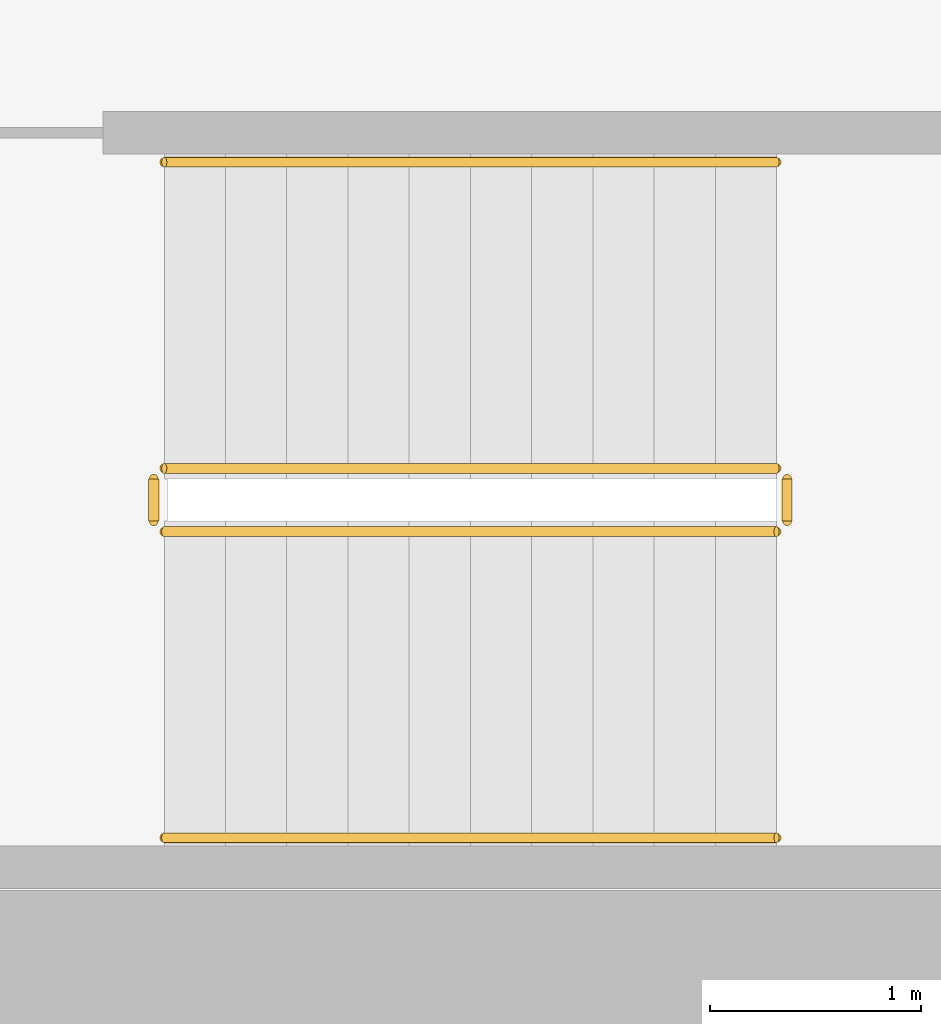
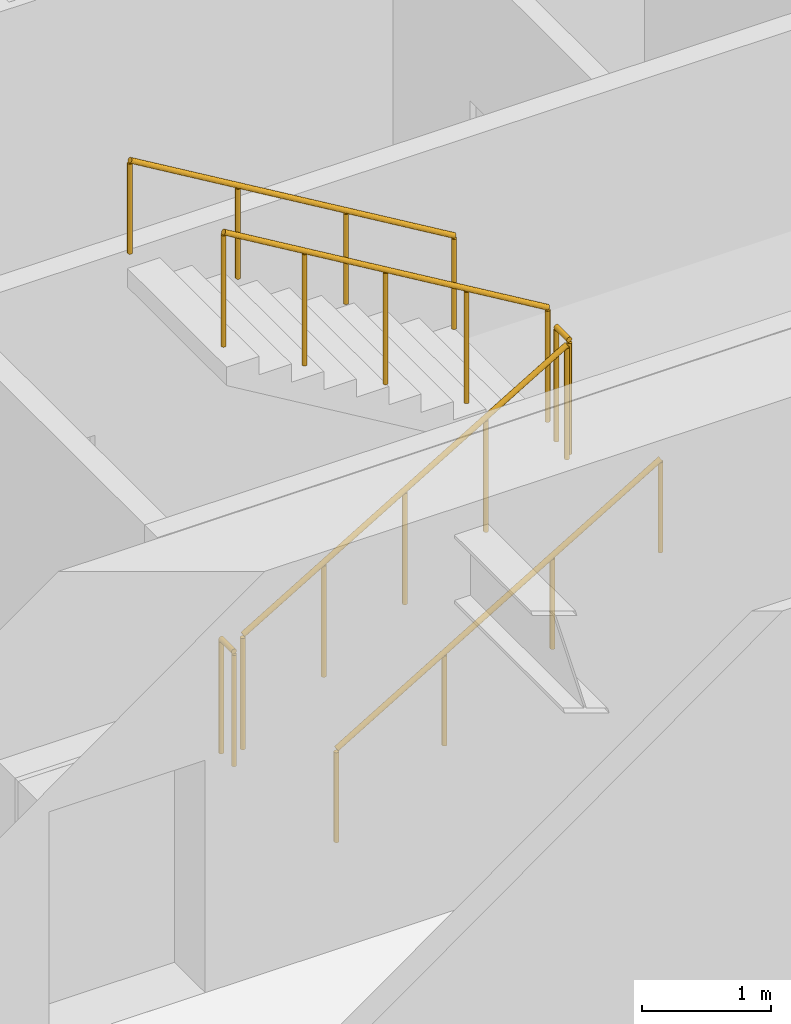
# One storey, part 19 of 20: 6 railings.
"""IFC4 building model written with IfcOpenShell, lengths in metres."""

from ifc_helpers import new_model, si_unit, direction, frame, origin, origin_2d, place, context, subcontext, project, spatial, circle, extrude, material, type_object, element, save


model = new_model("IFC4")

# Units and contexts
model_context = context("Model", 3, precision=1e-05, world=origin(), true_north=direction((0.0, 1.0)))
body_context = subcontext(model_context, "Body", "Model", "MODEL_VIEW")
ifc_project = project(units=[si_unit("LENGTHUNIT", "METRE"), si_unit("AREAUNIT", "SQUARE_METRE"), si_unit("VOLUMEUNIT", "CUBIC_METRE"), si_unit("PLANEANGLEUNIT", "RADIAN"), si_unit("MASSUNIT", "GRAM", prefix="KILO")], contexts=[model_context])

# Site, building, storey
site_placement = place(None, origin())
site = spatial("IfcSite", under=ifc_project, at=site_placement, CompositionType="ELEMENT")
building_placement = place(site_placement, origin())
building = spatial("IfcBuilding", under=site, at=building_placement, Name="Putna Gate Headquarters", CompositionType="ELEMENT")
storey_placement = place(building_placement, frame((0.0, 0.0, 31.60009765625)))
storey = spatial("IfcBuildingStorey", under=building, at=storey_placement, Name="L06", CompositionType="ELEMENT", Elevation=31.60009765625)

# Railings
ifc_material_1 = material(Name="Powder-coated steel stair guardrail", Category="steel")
railing_type_1 = type_object("IfcRailingType", Name="RAIL-STAIR-GUARD-1100", PredefinedType="GUARDRAIL", material=ifc_material_1)
railing_1_placement = place(storey_placement, frame((57.89990234375, 21.10009765625, 0.172607421875)))
element("IfcRailing", 1, at=railing_1_placement, inside=storey, type_object=railing_type_1, Name="L06 ST2 stair guard 1", PredefinedType="GUARDRAIL", context=body_context, shape_type="SweptSolid", body=[
    extrude(circle(Radius=0.02392578125, at=origin_2d()), frame((0.0, 0.0, 1.076171875), z_axis=(0.859160404282, 0.0, 0.51170636083), x_axis=(0.0, 1.0, 0.0)), (0.0, 0.0, 1.0), 3.37548828125),
    extrude(circle(Radius=0.02099609375, at=origin_2d()), origin(), (0.0, 0.0, 1.0), 1.052001953125),
    extrude(circle(Radius=0.02099609375, at=origin_2d()), frame((0.72509765625, 0.0, 0.431884765625)), (0.0, 0.0, 1.0), 1.052001953125),
    extrude(circle(Radius=0.02099609375, at=origin_2d()), frame((1.4501953125, 0.0, 0.86376953125)), (0.0, 0.0, 1.0), 1.052001953125),
    extrude(circle(Radius=0.02099609375, at=origin_2d()), frame((2.175048828125, 0.0, 1.29541015625)), (0.0, 0.0, 1.0), 1.052001953125),
    extrude(circle(Radius=0.02099609375, at=origin_2d()), frame((2.900146484375, 0.0, 1.727294921875)), (0.0, 0.0, 1.0), 1.052001953125),
])
railing_2_placement = place(storey_placement, frame((60.85009765625, 21.14990234375, 1.89990234375)))
element("IfcRailing", 2, at=railing_2_placement, inside=storey, type_object=railing_type_1, Name="L06 ST2 stair guard 2", PredefinedType="GUARDRAIL", context=body_context, shape_type="SweptSolid", body=[
    extrude(circle(Radius=0.02392578125, at=origin_2d()), frame((0.0, 0.0, 1.076171875), z_axis=(0.0, 1.0, 0.0), x_axis=(-1.0, 0.0, 0.0)), (0.0, 0.0, 1.0), 0.2001953125),
    extrude(circle(Radius=0.02099609375, at=origin_2d()), origin(), (0.0, 0.0, 1.0), 1.052001953125),
    extrude(circle(Radius=0.02099609375, at=origin_2d()), frame((0.0, 0.2001953125, 0.0)), (0.0, 0.0, 1.0), 1.052001953125),
])
railing_3_placement = place(storey_placement, frame((60.800048828125, 21.39990234375, 2.072509765625)))
element("IfcRailing", 3, at=railing_3_placement, inside=storey, type_object=railing_type_1, Name="L06 ST2 stair guard 3", PredefinedType="GUARDRAIL", context=body_context, shape_type="SweptSolid", body=[
    extrude(circle(Radius=0.02392578125, at=origin_2d()), frame((0.0, 0.0, 1.076171875), z_axis=(-0.859160404282, 0.0, 0.51170636083), x_axis=(0.0, -1.0, 0.0)), (0.0, 0.0, 1.0), 3.37548828125),
    extrude(circle(Radius=0.02099609375, at=origin_2d()), origin(), (0.0, 0.0, 1.0), 1.052001953125),
    extrude(circle(Radius=0.02099609375, at=origin_2d()), frame((-0.72509765625, 0.0, 0.431884765625)), (0.0, 0.0, 1.0), 1.052001953125),
    extrude(circle(Radius=0.02099609375, at=origin_2d()), frame((-1.4501953125, 0.0, 0.86376953125)), (0.0, 0.0, 1.0), 1.052001953125),
    extrude(circle(Radius=0.02099609375, at=origin_2d()), frame((-2.175048828125, 0.0, 1.29541015625)), (0.0, 0.0, 1.0), 1.052001953125),
    extrude(circle(Radius=0.02099609375, at=origin_2d()), frame((-2.900146484375, 0.0, 1.727294921875)), (0.0, 0.0, 1.0), 1.052001953125),
])
railing_4_placement = place(storey_placement, frame((57.85009765625, 21.14990234375, 0.0)))
element("IfcRailing", 4, at=railing_4_placement, inside=storey, type_object=railing_type_1, Name="L06 ST2 stair guard 4", PredefinedType="GUARDRAIL", context=body_context, shape_type="SweptSolid", body=[
    extrude(circle(Radius=0.02392578125, at=origin_2d()), frame((0.0, 0.0, 1.076171875), z_axis=(0.0, 1.0, 0.0), x_axis=(-1.0, 0.0, 0.0)), (0.0, 0.0, 1.0), 0.2001953125),
    extrude(circle(Radius=0.02099609375, at=origin_2d()), origin(), (0.0, 0.0, 1.0), 1.052001953125),
    extrude(circle(Radius=0.02099609375, at=origin_2d()), frame((0.0, 0.2001953125, 0.0)), (0.0, 0.0, 1.0), 1.052001953125),
])
ifc_material_2 = material(Name="Brushed stainless steel handrail", Category="steel")
railing_type_2 = type_object("IfcRailingType", Name="RAIL-STAIR-HAND-900", PredefinedType="HANDRAIL", material=ifc_material_2)
railing_5_placement = place(storey_placement, frame((57.89990234375, 19.64990234375, 0.172607421875)))
element("IfcRailing", 5, at=railing_5_placement, inside=storey, type_object=railing_type_2, Name="L06 ST2 stair handrail 1", PredefinedType="HANDRAIL", context=body_context, shape_type="SweptSolid", body=[
    extrude(circle(Radius=0.02392578125, at=origin_2d()), frame((0.0, 0.0, 0.8759765625), z_axis=(0.859160404282, 0.0, 0.51170636083), x_axis=(0.0, 1.0, 0.0)), (0.0, 0.0, 1.0), 3.37548828125),
    extrude(circle(Radius=0.02099609375, at=origin_2d()), origin(), (0.0, 0.0, 1.0), 0.851806640625),
    extrude(circle(Radius=0.02099609375, at=origin_2d()), frame((0.966796875, 0.0, 0.57568359375)), (0.0, 0.0, 1.0), 0.851806640625),
    extrude(circle(Radius=0.02099609375, at=origin_2d()), frame((1.933349609375, 0.0, 1.151611328125)), (0.0, 0.0, 1.0), 0.851806640625),
    extrude(circle(Radius=0.02099609375, at=origin_2d()), frame((2.900146484375, 0.0, 1.727294921875)), (0.0, 0.0, 1.0), 0.851806640625),
])
railing_6_placement = place(storey_placement, frame((60.800048828125, 22.85009765625, 2.072509765625)))
element("IfcRailing", 6, at=railing_6_placement, inside=storey, type_object=railing_type_2, Name="L06 ST2 stair handrail 2", PredefinedType="HANDRAIL", context=body_context, shape_type="SweptSolid", body=[
    extrude(circle(Radius=0.02392578125, at=origin_2d()), frame((0.0, 0.0, 0.8759765625), z_axis=(-0.859160404282, 0.0, 0.51170636083), x_axis=(0.0, -1.0, 0.0)), (0.0, 0.0, 1.0), 3.37548828125),
    extrude(circle(Radius=0.02099609375, at=origin_2d()), origin(), (0.0, 0.0, 1.0), 0.851806640625),
    extrude(circle(Radius=0.02099609375, at=origin_2d()), frame((-0.966796875, 0.0, 0.57568359375)), (0.0, 0.0, 1.0), 0.851806640625),
    extrude(circle(Radius=0.02099609375, at=origin_2d()), frame((-1.933349609375, 0.0, 1.151611328125)), (0.0, 0.0, 1.0), 0.851806640625),
    extrude(circle(Radius=0.02099609375, at=origin_2d()), frame((-2.900146484375, 0.0, 1.727294921875)), (0.0, 0.0, 1.0), 0.851806640625),
])

save(model, "model.ifc")
